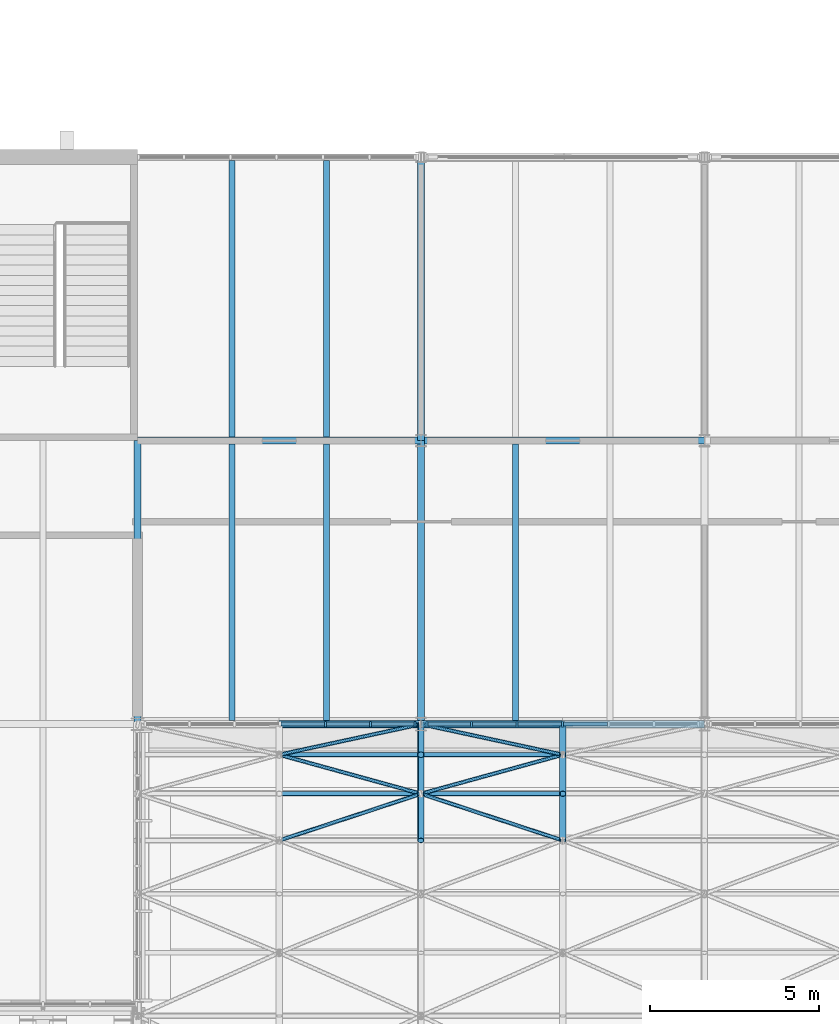
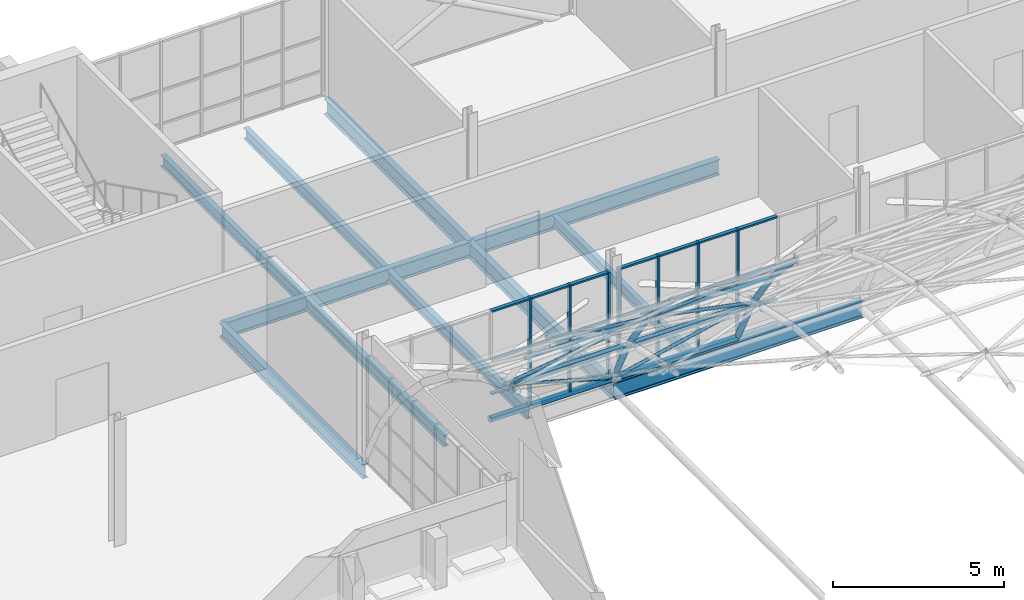
# One storey, part 46 of 121: 53 members, 11 beams, 2 elements without a shape of their own.
"""IFC4 building model written with IfcOpenShell, lengths in metres."""

from ifc_helpers import new_model, si_unit, direction, frame, origin, origin_2d, place, context, subcontext, project, spatial, rectangle, hollow_circle, i_section, extrude, material, layer, layer_set, material_profile, profile_set, type_object, element, aggregate, save


model = new_model("IFC4")

# Units and contexts
model_context = context("Model", 3, precision=1e-05, world=origin(), true_north=direction((0.0, 1.0)))
body_context = subcontext(model_context, "Body", "Model", "MODEL_VIEW")
ifc_project = project(units=[si_unit("LENGTHUNIT", "METRE"), si_unit("AREAUNIT", "SQUARE_METRE"), si_unit("VOLUMEUNIT", "CUBIC_METRE"), si_unit("PLANEANGLEUNIT", "RADIAN"), si_unit("MASSUNIT", "GRAM", prefix="KILO")], contexts=[model_context])

# Site, building, storey
site_placement = place(None, origin())
site = spatial("IfcSite", under=ifc_project, at=site_placement, CompositionType="ELEMENT")
building_placement = place(site_placement, origin())
building = spatial("IfcBuilding", under=site, at=building_placement, Name="Ardhachandra Cancer Care Centre", CompositionType="ELEMENT")
storey_placement = place(building_placement, frame((0.0, 0.0, 9.0)))
storey = spatial("IfcBuildingStorey", under=building, at=storey_placement, Name="L02", CompositionType="ELEMENT", Elevation=9.0)

# Beams
ifc_material_1 = material(Name="Steel E350 (IS 2062)", Category="steel")
ifc_material_profile_1 = material_profile(ifc_material_1, i_section(OverallWidth=0.179931640625, OverallDepth=0.39990234375, WebThickness=0.008544921875, FlangeThickness=0.013427734375, FilletRadius=0.02099609375, at=origin_2d()), Name="NPB 400x180x66.30")
ifc_profile_set_1 = profile_set([ifc_material_profile_1], Name="Steel E350 (IS 2062)")
beam_type_1 = type_object("IfcBeamType", Name="Beam NPB 400x180x66.30", PredefinedType="BEAM", material=ifc_profile_set_1)
beam_1_placement = place(storey_placement, frame((47.199951171875, 79.912109375, -0.35009765625), z_axis=(0.0, 1.0, 0.0), x_axis=(-1.0, 0.0, 0.0)))
element("IfcBeam", 1, at=beam_1_placement, inside=storey, type_object=beam_type_1, Name="Secondary J5-K5@2800", PredefinedType="BEAM", context=body_context, shape_type="SweptSolid", body=[
    extrude(i_section(OverallWidth=0.179931640625, OverallDepth=0.39990234375, WebThickness=0.008544921875, FlangeThickness=0.013427734375, FilletRadius=0.02099609375, at=origin_2d()), origin(), (0.0, 0.0, 1.0), 8.182861328125),
])
beam_2_placement = place(storey_placement, frame((47.199951171875, 88.304931640625, -0.35009765625), z_axis=(0.0, 1.0, 0.0), x_axis=(-1.0, 0.0, 0.0)))
element("IfcBeam", 2, at=beam_2_placement, inside=storey, type_object=beam_type_1, Name="Secondary K5-L5@2800", PredefinedType="BEAM", context=body_context, shape_type="SweptSolid", body=[
    extrude(i_section(OverallWidth=0.179931640625, OverallDepth=0.39990234375, WebThickness=0.008544921875, FlangeThickness=0.013427734375, FilletRadius=0.02099609375, at=origin_2d()), origin(), (0.0, 0.0, 1.0), 8.195068359375),
])
beam_3_placement = place(storey_placement, frame((50.0, 79.912109375, -0.35009765625), z_axis=(0.0, 1.0, 0.0), x_axis=(-1.0, 0.0, 0.0)))
element("IfcBeam", 3, at=beam_3_placement, inside=storey, type_object=beam_type_1, Name="Secondary J5-K5@5600", PredefinedType="BEAM", context=body_context, shape_type="SweptSolid", body=[
    extrude(i_section(OverallWidth=0.179931640625, OverallDepth=0.39990234375, WebThickness=0.008544921875, FlangeThickness=0.013427734375, FilletRadius=0.02099609375, at=origin_2d()), origin(), (0.0, 0.0, 1.0), 8.182861328125),
])
beam_4_placement = place(storey_placement, frame((50.0, 88.304931640625, -0.35009765625), z_axis=(0.0, 1.0, 0.0), x_axis=(-1.0, 0.0, 0.0)))
element("IfcBeam", 4, at=beam_4_placement, inside=storey, type_object=beam_type_1, Name="Secondary K5-L5@5600", PredefinedType="BEAM", context=body_context, shape_type="SweptSolid", body=[
    extrude(i_section(OverallWidth=0.179931640625, OverallDepth=0.39990234375, WebThickness=0.008544921875, FlangeThickness=0.013427734375, FilletRadius=0.02099609375, at=origin_2d()), origin(), (0.0, 0.0, 1.0), 8.195068359375),
])
beam_5_placement = place(storey_placement, frame((55.60009765625, 79.912109375, -0.35009765625), z_axis=(0.0, 1.0, 0.0), x_axis=(-1.0, 0.0, 0.0)))
element("IfcBeam", 5, at=beam_5_placement, inside=storey, type_object=beam_type_1, Name="Secondary J6-K6@2800", PredefinedType="BEAM", context=body_context, shape_type="SweptSolid", body=[
    extrude(i_section(OverallWidth=0.179931640625, OverallDepth=0.39990234375, WebThickness=0.008544921875, FlangeThickness=0.013427734375, FilletRadius=0.02099609375, at=origin_2d()), origin(), (0.0, 0.0, 1.0), 8.182861328125),
])
ifc_material_2 = material(Name="Steel E350 (IS 2062)", Category="steel")
ifc_material_profile_2 = material_profile(ifc_material_2, i_section(OverallWidth=0.199951171875, OverallDepth=0.5, WebThickness=0.01025390625, FlangeThickness=0.01611328125, FilletRadius=0.02099609375, at=origin_2d()), Name="NPB 500x200x90.68")
ifc_profile_set_2 = profile_set([ifc_material_profile_2], Name="Steel E350 (IS 2062)")
beam_type_2 = type_object("IfcBeamType", Name="Beam NPB 500x200x90.68", PredefinedType="BEAM", material=ifc_profile_set_2)
beam_6_placement = place(storey_placement, frame((44.39990234375, 79.800048828125, -0.39990234375), z_axis=(0.0, 1.0, 0.0), x_axis=(-1.0, 0.0, 0.0)))
element("IfcBeam", 6, at=beam_6_placement, inside=storey, type_object=beam_type_2, Name="Edge girder J5-K5", PredefinedType="BEAM", context=body_context, shape_type="SweptSolid", body=[
    extrude(i_section(OverallWidth=0.199951171875, OverallDepth=0.5, WebThickness=0.01025390625, FlangeThickness=0.01611328125, FilletRadius=0.02099609375, at=origin_2d()), origin(), (0.0, 0.0, 1.0), 8.39990234375),
])
ifc_material_3 = material(Name="Steel E350 (IS 2062)", Category="steel")
ifc_material_profile_3 = material_profile(ifc_material_3, i_section(OverallWidth=0.2099609375, OverallDepth=0.550048828125, WebThickness=0.010986328125, FlangeThickness=0.01708984375, FilletRadius=0.02392578125, at=origin_2d()), Name="NPB 550x210x105.52")
ifc_profile_set_3 = profile_set([ifc_material_profile_3], Name="Steel E350 (IS 2062)")
beam_type_3 = type_object("IfcBeamType", Name="Beam NPB 550x210x105.52", PredefinedType="BEAM", material=ifc_profile_set_3)
beam_7_placement = place(storey_placement, frame((44.39990234375, 88.199951171875, -0.425048828125), z_axis=(1.0, 0.0, 0.0), x_axis=(0.0, 1.0, 0.0)))
element("IfcBeam", 7, at=beam_7_placement, inside=storey, type_object=beam_type_3, Name="Girder K5-K6", PredefinedType="BEAM", context=body_context, shape_type="SweptSolid", body=[
    extrude(i_section(OverallWidth=0.2099609375, OverallDepth=0.550048828125, WebThickness=0.010986328125, FlangeThickness=0.01708984375, FilletRadius=0.02392578125, at=origin_2d()), origin(), (0.0, 0.0, 1.0), 8.400146484375),
])
for number, where, z_axis, x_axis, name in (
    (8, (52.800048828125, 88.199951171875, -0.425048828125), (1.0, 0.0, 0.0), (0.0, 1.0, 0.0), "Girder K6-K7"),
    (9, (52.800048828125, 79.800048828125, -0.425048828125), (0.0, 1.0, 0.0), (-1.0, 0.0, 0.0), "Girder J6-K6"),
):
    element("IfcBeam", number, at=place(storey_placement, frame(where, z_axis=z_axis, x_axis=x_axis)), inside=storey, type_object=beam_type_3, Name=name, PredefinedType="BEAM", context=body_context, shape_type="SweptSolid", body=[
        extrude(i_section(OverallWidth=0.2099609375, OverallDepth=0.550048828125, WebThickness=0.010986328125, FlangeThickness=0.01708984375, FilletRadius=0.02392578125, at=origin_2d()), origin(), (0.0, 0.0, 1.0), 8.39990234375),
    ])
beam_8_placement = place(storey_placement, frame((52.800048828125, 88.199951171875, -0.425048828125), z_axis=(0.0, 1.0, 0.0), x_axis=(-1.0, 0.0, 0.0)))
element("IfcBeam", 10, at=beam_8_placement, inside=storey, type_object=beam_type_3, Name="Girder K6-L6", PredefinedType="BEAM", context=body_context, shape_type="SweptSolid", body=[
    extrude(i_section(OverallWidth=0.2099609375, OverallDepth=0.550048828125, WebThickness=0.010986328125, FlangeThickness=0.01708984375, FilletRadius=0.02392578125, at=origin_2d()), origin(), (0.0, 0.0, 1.0), 8.400146484375),
])
ifc_material_4 = material(Name="Steel E350 (IS 2062)", Category="steel")
ifc_material_profile_4 = material_profile(ifc_material_4, i_section(OverallWidth=0.22412109375, OverallDepth=0.610107421875, WebThickness=0.014892578125, FlangeThickness=0.02392578125, FilletRadius=0.02392578125, at=origin_2d()), Name="NPB 600x220x154.46")
ifc_profile_set_4 = profile_set([ifc_material_profile_4], Name="Steel E350 (IS 2062)")
beam_type_4 = type_object("IfcBeamType", Name="Beam NPB 600x220x154.46", PredefinedType="BEAM", material=ifc_profile_set_4)
beam_9_placement = place(storey_placement, frame((52.800048828125, 79.800048828125, -0.41455078125), z_axis=(1.0, 0.0, 0.0), x_axis=(0.0, 1.0, 0.0)))
element("IfcBeam", 11, at=beam_9_placement, inside=storey, type_object=beam_type_4, Name="Shell edge beam J6-J7", PredefinedType="BEAM", context=body_context, shape_type="SweptSolid", body=[
    extrude(i_section(OverallWidth=0.22412109375, OverallDepth=0.610107421875, WebThickness=0.014892578125, FlangeThickness=0.02392578125, FilletRadius=0.02392578125, at=origin_2d()), origin(), (0.0, 0.0, 1.0), 8.39990234375),
])

# Curtain wall, members
ifc_material_5 = material(Name="Aluminium extrusion", Category="aluminium")
ifc_layer = layer(ifc_material_5, 0.14990234375)
ifc_layer_set = layer_set([ifc_layer], Name="Aluminium extrusion")
curtain_wall_type = type_object("IfcCurtainWallType", Name="Curtain wall run", PredefinedType="NOTDEFINED", material=ifc_layer_set)
curtain_wall_1_placement = place(storey_placement, origin())
curtain_wall_1 = element("IfcCurtainWall", 12, at=curtain_wall_1_placement, inside=storey, type_object=curtain_wall_type, Name="Curtain wall L02 s/0044400_0079800", PredefinedType="NOTDEFINED")
ifc_material_6 = material(Name="Aluminium extrusion", Category="aluminium")
ifc_material_profile_5 = material_profile(ifc_material_6, rectangle(XDim=0.159912109375, YDim=0.06005859375, at=origin_2d()), Name="Curtain wall mullion 60 x 160")
ifc_profile_set_5 = profile_set([ifc_material_profile_5], Name="Aluminium extrusion")
member_type_1 = type_object("IfcMemberType", Name="Curtain wall mullion 60 x 160", PredefinedType="MULLION", material=ifc_profile_set_5)
member_1_placement = place(storey_placement, frame((49.965087890625, 79.800048828125, 0.0), z_axis=(0.0, 0.0, 1.0), x_axis=(0.0, 1.0, 0.0)))
member_1 = element("IfcMember", 13, at=member_1_placement, type_object=member_type_1, Name="CW mullion 5", PredefinedType="MULLION", context=body_context, shape_type="SweptSolid", body=[
    extrude(rectangle(XDim=0.159912109375, YDim=0.06005859375, at=origin_2d()), origin(), (0.0, 0.0, 1.0), 3.885986328125),
])
member_2_placement = place(storey_placement, frame((51.3076171875, 79.800048828125, 0.0), z_axis=(0.0, 0.0, 1.0), x_axis=(0.0, 1.0, 0.0)))
member_2 = element("IfcMember", 14, at=member_2_placement, type_object=member_type_1, Name="CW mullion 6", PredefinedType="MULLION", context=body_context, shape_type="SweptSolid", body=[
    extrude(rectangle(XDim=0.159912109375, YDim=0.06005859375, at=origin_2d()), origin(), (0.0, 0.0, 1.0), 3.885986328125),
])
member_3_placement = place(storey_placement, frame((52.6201171875, 79.800048828125, 0.0), z_axis=(0.0, 0.0, 1.0), x_axis=(0.0, 1.0, 0.0)))
member_3 = element("IfcMember", 15, at=member_3_placement, type_object=member_type_1, Name="CW mullion 7", PredefinedType="MULLION", context=body_context, shape_type="SweptSolid", body=[
    extrude(rectangle(XDim=0.159912109375, YDim=0.06005859375, at=origin_2d()), origin(), (0.0, 0.0, 1.0), 3.885986328125),
])

curtain_wall_2_placement = place(storey_placement, origin())
curtain_wall_2 = element("IfcCurtainWall", 16, at=curtain_wall_2_placement, inside=storey, type_object=curtain_wall_type, Name="Curtain wall L02 s/0052800_0079800", PredefinedType="NOTDEFINED")
member_4_placement = place(storey_placement, frame((52.97998046875, 79.800048828125, 0.0), z_axis=(0.0, 0.0, 1.0), x_axis=(0.0, 1.0, 0.0)))
member_4 = element("IfcMember", 17, at=member_4_placement, type_object=member_type_1, Name="CW mullion 1", PredefinedType="MULLION", context=body_context, shape_type="SweptSolid", body=[
    extrude(rectangle(XDim=0.159912109375, YDim=0.06005859375, at=origin_2d()), origin(), (0.0, 0.0, 1.0), 3.885986328125),
])
member_5_placement = place(storey_placement, frame((54.300048828125, 79.800048828125, 0.0), z_axis=(0.0, 0.0, 1.0), x_axis=(0.0, 1.0, 0.0)))
member_5 = element("IfcMember", 18, at=member_5_placement, type_object=member_type_1, Name="CW mullion 2", PredefinedType="MULLION", context=body_context, shape_type="SweptSolid", body=[
    extrude(rectangle(XDim=0.159912109375, YDim=0.06005859375, at=origin_2d()), origin(), (0.0, 0.0, 1.0), 3.885986328125),
])
member_6_placement = place(storey_placement, frame((55.64990234375, 79.800048828125, 0.0), z_axis=(0.0, 0.0, 1.0), x_axis=(0.0, 1.0, 0.0)))
member_6 = element("IfcMember", 19, at=member_6_placement, type_object=member_type_1, Name="CW mullion 3", PredefinedType="MULLION", context=body_context, shape_type="SweptSolid", body=[
    extrude(rectangle(XDim=0.159912109375, YDim=0.06005859375, at=origin_2d()), origin(), (0.0, 0.0, 1.0), 3.885986328125),
])
member_7_placement = place(storey_placement, frame((57.0, 79.800048828125, 0.0), z_axis=(0.0, 0.0, 1.0), x_axis=(0.0, 1.0, 0.0)))
member_7 = element("IfcMember", 20, at=member_7_placement, type_object=member_type_1, Name="CW mullion 4", PredefinedType="MULLION", context=body_context, shape_type="SweptSolid", body=[
    extrude(rectangle(XDim=0.159912109375, YDim=0.06005859375, at=origin_2d()), origin(), (0.0, 0.0, 1.0), 3.885986328125),
])

# Member
ifc_material_7 = material(Name="Aluminium extrusion", Category="aluminium")
ifc_material_profile_6 = material_profile(ifc_material_7, rectangle(XDim=0.1201171875, YDim=0.06005859375, at=origin_2d()), Name="Curtain wall transom 60 x 120")
ifc_profile_set_6 = profile_set([ifc_material_profile_6], Name="Aluminium extrusion")
member_type_2 = type_object("IfcMemberType", Name="Curtain wall transom 60 x 120", PredefinedType="USERDEFINED", material=ifc_profile_set_6)
member_8_placement = place(storey_placement, frame((48.65283203125, 79.800048828125, 0.030029296875), z_axis=(1.0, 0.0, 0.0), x_axis=(0.0, 1.0, 0.0)))
member_8 = element("IfcMember", 21, at=member_8_placement, type_object=member_type_2, Name="CW transom 4.1", ObjectType="TRANSOM", PredefinedType="USERDEFINED", context=body_context, shape_type="SweptSolid", body=[
    extrude(rectangle(XDim=0.1201171875, YDim=0.06005859375, at=origin_2d()), origin(), (0.0, 0.0, 1.0), 1.2822265625),
])

member_9_placement = place(storey_placement, frame((48.65283203125, 79.800048828125, 0.89990234375), z_axis=(1.0, 0.0, 0.0), x_axis=(0.0, 1.0, 0.0)))
member_9 = element("IfcMember", 22, at=member_9_placement, type_object=member_type_2, Name="CW transom 4.2", ObjectType="TRANSOM", PredefinedType="USERDEFINED", context=body_context, shape_type="SweptSolid", body=[
    extrude(rectangle(XDim=0.1201171875, YDim=0.06005859375, at=origin_2d()), origin(), (0.0, 0.0, 1.0), 1.2822265625),
])

member_10_placement = place(storey_placement, frame((48.65283203125, 79.800048828125, 2.10009765625), z_axis=(1.0, 0.0, 0.0), x_axis=(0.0, 1.0, 0.0)))
member_10 = element("IfcMember", 23, at=member_10_placement, type_object=member_type_2, Name="CW transom 4.3", ObjectType="TRANSOM", PredefinedType="USERDEFINED", context=body_context, shape_type="SweptSolid", body=[
    extrude(rectangle(XDim=0.1201171875, YDim=0.06005859375, at=origin_2d()), origin(), (0.0, 0.0, 1.0), 1.2822265625),
])

member_11_placement = place(storey_placement, frame((48.65283203125, 79.800048828125, 3.85595703125), z_axis=(1.0, 0.0, 0.0), x_axis=(0.0, 1.0, 0.0)))
member_11 = element("IfcMember", 24, at=member_11_placement, type_object=member_type_2, Name="CW transom 4.4", ObjectType="TRANSOM", PredefinedType="USERDEFINED", context=body_context, shape_type="SweptSolid", body=[
    extrude(rectangle(XDim=0.1201171875, YDim=0.06005859375, at=origin_2d()), origin(), (0.0, 0.0, 1.0), 1.2822265625),
])

member_12_placement = place(storey_placement, frame((49.9951171875, 79.800048828125, 0.030029296875), z_axis=(1.0, 0.0, 0.0), x_axis=(0.0, 1.0, 0.0)))
member_12 = element("IfcMember", 25, at=member_12_placement, type_object=member_type_2, Name="CW transom 5.1", ObjectType="TRANSOM", PredefinedType="USERDEFINED", context=body_context, shape_type="SweptSolid", body=[
    extrude(rectangle(XDim=0.1201171875, YDim=0.06005859375, at=origin_2d()), origin(), (0.0, 0.0, 1.0), 1.282470703125),
])

member_13_placement = place(storey_placement, frame((49.9951171875, 79.800048828125, 0.89990234375), z_axis=(1.0, 0.0, 0.0), x_axis=(0.0, 1.0, 0.0)))
member_13 = element("IfcMember", 26, at=member_13_placement, type_object=member_type_2, Name="CW transom 5.2", ObjectType="TRANSOM", PredefinedType="USERDEFINED", context=body_context, shape_type="SweptSolid", body=[
    extrude(rectangle(XDim=0.1201171875, YDim=0.06005859375, at=origin_2d()), origin(), (0.0, 0.0, 1.0), 1.282470703125),
])

member_14_placement = place(storey_placement, frame((49.9951171875, 79.800048828125, 2.10009765625), z_axis=(1.0, 0.0, 0.0), x_axis=(0.0, 1.0, 0.0)))
member_14 = element("IfcMember", 27, at=member_14_placement, type_object=member_type_2, Name="CW transom 5.3", ObjectType="TRANSOM", PredefinedType="USERDEFINED", context=body_context, shape_type="SweptSolid", body=[
    extrude(rectangle(XDim=0.1201171875, YDim=0.06005859375, at=origin_2d()), origin(), (0.0, 0.0, 1.0), 1.282470703125),
])

member_15_placement = place(storey_placement, frame((49.9951171875, 79.800048828125, 3.85595703125), z_axis=(1.0, 0.0, 0.0), x_axis=(0.0, 1.0, 0.0)))
member_15 = element("IfcMember", 28, at=member_15_placement, type_object=member_type_2, Name="CW transom 5.4", ObjectType="TRANSOM", PredefinedType="USERDEFINED", context=body_context, shape_type="SweptSolid", body=[
    extrude(rectangle(XDim=0.1201171875, YDim=0.06005859375, at=origin_2d()), origin(), (0.0, 0.0, 1.0), 1.282470703125),
])

member_16_placement = place(storey_placement, frame((51.337646484375, 79.800048828125, 0.030029296875), z_axis=(1.0, 0.0, 0.0), x_axis=(0.0, 1.0, 0.0)))
member_16 = element("IfcMember", 29, at=member_16_placement, type_object=member_type_2, Name="CW transom 6.1", ObjectType="TRANSOM", PredefinedType="USERDEFINED", context=body_context, shape_type="SweptSolid", body=[
    extrude(rectangle(XDim=0.1201171875, YDim=0.06005859375, at=origin_2d()), origin(), (0.0, 0.0, 1.0), 1.25244140625),
])

member_17_placement = place(storey_placement, frame((51.337646484375, 79.800048828125, 0.89990234375), z_axis=(1.0, 0.0, 0.0), x_axis=(0.0, 1.0, 0.0)))
member_17 = element("IfcMember", 30, at=member_17_placement, type_object=member_type_2, Name="CW transom 6.2", ObjectType="TRANSOM", PredefinedType="USERDEFINED", context=body_context, shape_type="SweptSolid", body=[
    extrude(rectangle(XDim=0.1201171875, YDim=0.06005859375, at=origin_2d()), origin(), (0.0, 0.0, 1.0), 1.25244140625),
])

member_18_placement = place(storey_placement, frame((51.337646484375, 79.800048828125, 2.10009765625), z_axis=(1.0, 0.0, 0.0), x_axis=(0.0, 1.0, 0.0)))
member_18 = element("IfcMember", 31, at=member_18_placement, type_object=member_type_2, Name="CW transom 6.3", ObjectType="TRANSOM", PredefinedType="USERDEFINED", context=body_context, shape_type="SweptSolid", body=[
    extrude(rectangle(XDim=0.1201171875, YDim=0.06005859375, at=origin_2d()), origin(), (0.0, 0.0, 1.0), 1.25244140625),
])

member_19_placement = place(storey_placement, frame((51.337646484375, 79.800048828125, 3.85595703125), z_axis=(1.0, 0.0, 0.0), x_axis=(0.0, 1.0, 0.0)))
member_19 = element("IfcMember", 32, at=member_19_placement, type_object=member_type_2, Name="CW transom 6.4", ObjectType="TRANSOM", PredefinedType="USERDEFINED", context=body_context, shape_type="SweptSolid", body=[
    extrude(rectangle(XDim=0.1201171875, YDim=0.06005859375, at=origin_2d()), origin(), (0.0, 0.0, 1.0), 1.25244140625),
])

aggregate(curtain_wall_1, [member_1, member_2, member_3, member_8, member_9, member_10, member_11, member_12, member_13, member_14, member_15, member_16, member_17, member_18, member_19])

member_20_placement = place(storey_placement, frame((53.010009765625, 79.800048828125, 0.030029296875), z_axis=(1.0, 0.0, 0.0), x_axis=(0.0, 1.0, 0.0)))
member_20 = element("IfcMember", 33, at=member_20_placement, type_object=member_type_2, Name="CW transom 1.1", ObjectType="TRANSOM", PredefinedType="USERDEFINED", context=body_context, shape_type="SweptSolid", body=[
    extrude(rectangle(XDim=0.1201171875, YDim=0.06005859375, at=origin_2d()), origin(), (0.0, 0.0, 1.0), 1.260009765625),
])

member_21_placement = place(storey_placement, frame((53.010009765625, 79.800048828125, 0.89990234375), z_axis=(1.0, 0.0, 0.0), x_axis=(0.0, 1.0, 0.0)))
member_21 = element("IfcMember", 34, at=member_21_placement, type_object=member_type_2, Name="CW transom 1.2", ObjectType="TRANSOM", PredefinedType="USERDEFINED", context=body_context, shape_type="SweptSolid", body=[
    extrude(rectangle(XDim=0.1201171875, YDim=0.06005859375, at=origin_2d()), origin(), (0.0, 0.0, 1.0), 1.260009765625),
])

member_22_placement = place(storey_placement, frame((53.010009765625, 79.800048828125, 2.10009765625), z_axis=(1.0, 0.0, 0.0), x_axis=(0.0, 1.0, 0.0)))
member_22 = element("IfcMember", 35, at=member_22_placement, type_object=member_type_2, Name="CW transom 1.3", ObjectType="TRANSOM", PredefinedType="USERDEFINED", context=body_context, shape_type="SweptSolid", body=[
    extrude(rectangle(XDim=0.1201171875, YDim=0.06005859375, at=origin_2d()), origin(), (0.0, 0.0, 1.0), 1.260009765625),
])

member_23_placement = place(storey_placement, frame((53.010009765625, 79.800048828125, 3.85595703125), z_axis=(1.0, 0.0, 0.0), x_axis=(0.0, 1.0, 0.0)))
member_23 = element("IfcMember", 36, at=member_23_placement, type_object=member_type_2, Name="CW transom 1.4", ObjectType="TRANSOM", PredefinedType="USERDEFINED", context=body_context, shape_type="SweptSolid", body=[
    extrude(rectangle(XDim=0.1201171875, YDim=0.06005859375, at=origin_2d()), origin(), (0.0, 0.0, 1.0), 1.260009765625),
])

member_24_placement = place(storey_placement, frame((54.330078125, 79.800048828125, 0.030029296875), z_axis=(1.0, 0.0, 0.0), x_axis=(0.0, 1.0, 0.0)))
member_24 = element("IfcMember", 37, at=member_24_placement, type_object=member_type_2, Name="CW transom 2.1", ObjectType="TRANSOM", PredefinedType="USERDEFINED", context=body_context, shape_type="SweptSolid", body=[
    extrude(rectangle(XDim=0.1201171875, YDim=0.06005859375, at=origin_2d()), origin(), (0.0, 0.0, 1.0), 1.2900390625),
])

member_25_placement = place(storey_placement, frame((54.330078125, 79.800048828125, 0.89990234375), z_axis=(1.0, 0.0, 0.0), x_axis=(0.0, 1.0, 0.0)))
member_25 = element("IfcMember", 38, at=member_25_placement, type_object=member_type_2, Name="CW transom 2.2", ObjectType="TRANSOM", PredefinedType="USERDEFINED", context=body_context, shape_type="SweptSolid", body=[
    extrude(rectangle(XDim=0.1201171875, YDim=0.06005859375, at=origin_2d()), origin(), (0.0, 0.0, 1.0), 1.2900390625),
])

member_26_placement = place(storey_placement, frame((54.330078125, 79.800048828125, 2.10009765625), z_axis=(1.0, 0.0, 0.0), x_axis=(0.0, 1.0, 0.0)))
member_26 = element("IfcMember", 39, at=member_26_placement, type_object=member_type_2, Name="CW transom 2.3", ObjectType="TRANSOM", PredefinedType="USERDEFINED", context=body_context, shape_type="SweptSolid", body=[
    extrude(rectangle(XDim=0.1201171875, YDim=0.06005859375, at=origin_2d()), origin(), (0.0, 0.0, 1.0), 1.2900390625),
])

member_27_placement = place(storey_placement, frame((54.330078125, 79.800048828125, 3.85595703125), z_axis=(1.0, 0.0, 0.0), x_axis=(0.0, 1.0, 0.0)))
member_27 = element("IfcMember", 40, at=member_27_placement, type_object=member_type_2, Name="CW transom 2.4", ObjectType="TRANSOM", PredefinedType="USERDEFINED", context=body_context, shape_type="SweptSolid", body=[
    extrude(rectangle(XDim=0.1201171875, YDim=0.06005859375, at=origin_2d()), origin(), (0.0, 0.0, 1.0), 1.2900390625),
])

member_28_placement = place(storey_placement, frame((55.679931640625, 79.800048828125, 0.030029296875), z_axis=(1.0, 0.0, 0.0), x_axis=(0.0, 1.0, 0.0)))
member_28 = element("IfcMember", 41, at=member_28_placement, type_object=member_type_2, Name="CW transom 3.1", ObjectType="TRANSOM", PredefinedType="USERDEFINED", context=body_context, shape_type="SweptSolid", body=[
    extrude(rectangle(XDim=0.1201171875, YDim=0.06005859375, at=origin_2d()), origin(), (0.0, 0.0, 1.0), 1.2900390625),
])

member_29_placement = place(storey_placement, frame((55.679931640625, 79.800048828125, 0.89990234375), z_axis=(1.0, 0.0, 0.0), x_axis=(0.0, 1.0, 0.0)))
member_29 = element("IfcMember", 42, at=member_29_placement, type_object=member_type_2, Name="CW transom 3.2", ObjectType="TRANSOM", PredefinedType="USERDEFINED", context=body_context, shape_type="SweptSolid", body=[
    extrude(rectangle(XDim=0.1201171875, YDim=0.06005859375, at=origin_2d()), origin(), (0.0, 0.0, 1.0), 1.2900390625),
])

member_30_placement = place(storey_placement, frame((55.679931640625, 79.800048828125, 2.10009765625), z_axis=(1.0, 0.0, 0.0), x_axis=(0.0, 1.0, 0.0)))
member_30 = element("IfcMember", 43, at=member_30_placement, type_object=member_type_2, Name="CW transom 3.3", ObjectType="TRANSOM", PredefinedType="USERDEFINED", context=body_context, shape_type="SweptSolid", body=[
    extrude(rectangle(XDim=0.1201171875, YDim=0.06005859375, at=origin_2d()), origin(), (0.0, 0.0, 1.0), 1.2900390625),
])

member_31_placement = place(storey_placement, frame((55.679931640625, 79.800048828125, 3.85595703125), z_axis=(1.0, 0.0, 0.0), x_axis=(0.0, 1.0, 0.0)))
member_31 = element("IfcMember", 44, at=member_31_placement, type_object=member_type_2, Name="CW transom 3.4", ObjectType="TRANSOM", PredefinedType="USERDEFINED", context=body_context, shape_type="SweptSolid", body=[
    extrude(rectangle(XDim=0.1201171875, YDim=0.06005859375, at=origin_2d()), origin(), (0.0, 0.0, 1.0), 1.2900390625),
])

member_32_placement = place(storey_placement, frame((57.030029296875, 79.800048828125, 0.030029296875), z_axis=(1.0, 0.0, 0.0), x_axis=(0.0, 1.0, 0.0)))
member_32 = element("IfcMember", 45, at=member_32_placement, type_object=member_type_2, Name="CW transom 4.1", ObjectType="TRANSOM", PredefinedType="USERDEFINED", context=body_context, shape_type="SweptSolid", body=[
    extrude(rectangle(XDim=0.1201171875, YDim=0.06005859375, at=origin_2d()), origin(), (0.0, 0.0, 1.0), 1.2900390625),
])

member_33_placement = place(storey_placement, frame((57.030029296875, 79.800048828125, 0.89990234375), z_axis=(1.0, 0.0, 0.0), x_axis=(0.0, 1.0, 0.0)))
member_33 = element("IfcMember", 46, at=member_33_placement, type_object=member_type_2, Name="CW transom 4.2", ObjectType="TRANSOM", PredefinedType="USERDEFINED", context=body_context, shape_type="SweptSolid", body=[
    extrude(rectangle(XDim=0.1201171875, YDim=0.06005859375, at=origin_2d()), origin(), (0.0, 0.0, 1.0), 1.2900390625),
])

member_34_placement = place(storey_placement, frame((57.030029296875, 79.800048828125, 2.10009765625), z_axis=(1.0, 0.0, 0.0), x_axis=(0.0, 1.0, 0.0)))
member_34 = element("IfcMember", 47, at=member_34_placement, type_object=member_type_2, Name="CW transom 4.3", ObjectType="TRANSOM", PredefinedType="USERDEFINED", context=body_context, shape_type="SweptSolid", body=[
    extrude(rectangle(XDim=0.1201171875, YDim=0.06005859375, at=origin_2d()), origin(), (0.0, 0.0, 1.0), 1.2900390625),
])

member_35_placement = place(storey_placement, frame((57.030029296875, 79.800048828125, 3.85595703125), z_axis=(1.0, 0.0, 0.0), x_axis=(0.0, 1.0, 0.0)))
member_35 = element("IfcMember", 48, at=member_35_placement, type_object=member_type_2, Name="CW transom 4.4", ObjectType="TRANSOM", PredefinedType="USERDEFINED", context=body_context, shape_type="SweptSolid", body=[
    extrude(rectangle(XDim=0.1201171875, YDim=0.06005859375, at=origin_2d()), origin(), (0.0, 0.0, 1.0), 1.2900390625),
])

aggregate(curtain_wall_2, [member_4, member_5, member_6, member_7, member_20, member_21, member_22, member_23, member_24, member_25, member_26, member_27, member_28, member_29, member_30, member_31, member_32, member_33, member_34, member_35])

# Members
ifc_material_8 = material(Name="Steel E350 (IS 2062)", Category="steel")
ifc_material_profile_7 = material_profile(ifc_material_8, hollow_circle(Radius=0.05712890625, WallThickness=0.0048828125, at=origin_2d()), Name="CHS 114.3x5.0")
ifc_profile_set_7 = profile_set([ifc_material_profile_7], Name="Steel E350 (IS 2062)")
member_type_3 = type_object("IfcMemberType", Name="Hall shell Diagonal CHS 114.3x5.0", PredefinedType="BRACE", material=ifc_profile_set_7)
for number, where, z_axis, x_axis, name in (
    (49, (48.60009765625, 76.353515625, 4.8759765625), (0.902457097304, 0.297496610987, -0.311555699639), (-0.313079224057, 0.949727013128, 0.0), "Hall shell diagonal 01-13"),
    (50, (52.800048828125, 77.738037109375, 3.426025390625), (-0.902461325562, 0.248605721202, -0.351793620253), (-0.265582388334, -0.964088167652, 0.0), "Hall shell diagonal 02-14"),
    (51, (48.60009765625, 78.89501953125, 1.788818359375), (0.902463534711, 0.194467960424, -0.384371930409), (-0.210650483477, 0.977561442474, 0.0), "Hall shell diagonal 01-15"),
    (52, (57.0, 76.353515625, 4.8759765625), (-0.902457097304, 0.297496610987, -0.311555699639), (-0.313079224057, -0.949727013128, 0.0), "Hall shell diagonal 03-13"),
    (53, (52.800048828125, 77.738037109375, 3.426025390625), (0.902461325562, 0.248605721202, -0.351793620253), (-0.265582388334, 0.964088167652, 0.0), "Hall shell diagonal 02-14"),
    (54, (57.0, 78.89501953125, 1.788818359375), (-0.902463534711, 0.194467960424, -0.384371930409), (-0.210650483477, -0.977561442474, 0.0), "Hall shell diagonal 03-15"),
):
    element("IfcMember", number, at=place(storey_placement, frame(where, z_axis=z_axis, x_axis=x_axis)), inside=storey, type_object=member_type_3, Name=name, PredefinedType="BRACE", context=body_context, shape_type="SweptSolid", body=[
        extrude(hollow_circle(Radius=0.05712890625, WallThickness=0.0048828125, at=origin_2d()), origin(), (0.0, 0.0, 1.0), 4.65380859375),
    ])
ifc_material_9 = material(Name="Steel E350 (IS 2062)", Category="steel")
ifc_material_profile_8 = material_profile(ifc_material_9, hollow_circle(Radius=0.06982421875, WallThickness=0.0048828125, at=origin_2d()), Name="CHS 139.7x5.0")
ifc_profile_set_8 = profile_set([ifc_material_profile_8], Name="Steel E350 (IS 2062)")
member_type_4 = type_object("IfcMemberType", Name="Hall shell Purlin CHS 139.7x5.0", PredefinedType="PURLIN", material=ifc_profile_set_8)
for number, where, z_axis, x_axis, name in (
    (55, (48.60009765625, 77.738037109375, 3.426025390625), (1.0, 0.0, 0.0), (0.0, 1.0, 0.0), "Hall shell purlin 01-14"),
    (56, (52.800048828125, 77.738037109375, 3.426025390625), (1.0, 0.0, 0.0), (0.0, 1.0, 0.0), "Hall shell purlin 02-14"),
    (57, (48.60009765625, 78.89501953125, 1.788818359375), (1.0, 0.0, 0.0), (0.0, 1.0, 0.0), "Hall shell purlin 01-15"),
    (58, (52.800048828125, 78.89501953125, 1.788818359375), (1.0, 0.0, 0.0), (0.0, 1.0, 0.0), "Hall shell purlin 02-15"),
):
    element("IfcMember", number, at=place(storey_placement, frame(where, z_axis=z_axis, x_axis=x_axis)), inside=storey, type_object=member_type_4, Name=name, PredefinedType="PURLIN", context=body_context, shape_type="SweptSolid", body=[
        extrude(hollow_circle(Radius=0.06982421875, WallThickness=0.0048828125, at=origin_2d()), origin(), (0.0, 0.0, 1.0), 4.199951171875),
    ])
ifc_material_10 = material(Name="Steel E350 (IS 2062)", Category="steel")
ifc_material_profile_9 = material_profile(ifc_material_10, hollow_circle(Radius=0.109619140625, WallThickness=0.008056640625, at=origin_2d()), Name="CHS 219.1x8.0")
ifc_profile_set_9 = profile_set([ifc_material_profile_9], Name="Steel E350 (IS 2062)")
member_type_5 = type_object("IfcMemberType", Name="Hall shell Purlin CHS 219.1x8.0", PredefinedType="PURLIN", material=ifc_profile_set_9)
for number, where, z_axis, x_axis, name in (
    (59, (48.60009765625, 79.800048828125, 0.0), (1.0, 0.0, 0.0), (0.0, 1.0, 0.0), "Hall shell purlin 01-16"),
    (60, (52.800048828125, 79.800048828125, 0.0), (1.0, 0.0, 0.0), (0.0, 1.0, 0.0), "Hall shell purlin 02-16"),
):
    element("IfcMember", number, at=place(storey_placement, frame(where, z_axis=z_axis, x_axis=x_axis)), inside=storey, type_object=member_type_5, Name=name, PredefinedType="PURLIN", context=body_context, shape_type="SweptSolid", body=[
        extrude(hollow_circle(Radius=0.109619140625, WallThickness=0.008056640625, at=origin_2d()), origin(), (0.0, 0.0, 1.0), 4.199951171875),
    ])
ifc_material_11 = material(Name="Steel E350 (IS 2062)", Category="steel")
ifc_material_profile_10 = material_profile(ifc_material_11, hollow_circle(Radius=0.096923828125, WallThickness=0.008056640625, at=origin_2d()), Name="CHS 193.7x8.0")
ifc_profile_set_10 = profile_set([ifc_material_profile_10], Name="Steel E350 (IS 2062)")
member_type_6 = type_object("IfcMemberType", Name="Hall shell Rib CHS 193.7x8.0", PredefinedType="RAFTER", material=ifc_profile_set_10)
member_36_placement = place(storey_placement, frame((52.800048828125, 76.353515625, 4.8759765625), z_axis=(0.0, 0.690600278641, -0.723236652239), x_axis=(-1.0, 0.0, 0.0)))
element("IfcMember", 61, at=member_36_placement, inside=storey, type_object=member_type_6, Name="Hall shell rib 02-13", PredefinedType="RAFTER", context=body_context, shape_type="SweptSolid", body=[
    extrude(hollow_circle(Radius=0.096923828125, WallThickness=0.008056640625, at=origin_2d()), origin(), (0.0, 0.0, 1.0), 2.0048828125),
])
for number, where, z_axis, x_axis, name in (
    (62, (52.800048828125, 77.738037109375, 3.426025390625), (0.0, 0.577118207202, -0.816660624076), (-1.0, 0.0, 0.0), "Hall shell rib 02-14"),
    (63, (52.800048828125, 78.89501953125, 1.788818359375), (0.0, 0.451446595645, -0.892298140355), (-1.0, 0.0, 0.0), "Hall shell rib 02-15"),
):
    element("IfcMember", number, at=place(storey_placement, frame(where, z_axis=z_axis, x_axis=x_axis)), inside=storey, type_object=member_type_6, Name=name, PredefinedType="RAFTER", context=body_context, shape_type="SweptSolid", body=[
        extrude(hollow_circle(Radius=0.096923828125, WallThickness=0.008056640625, at=origin_2d()), origin(), (0.0, 0.0, 1.0), 2.004638671875),
    ])
member_37_placement = place(storey_placement, frame((57.0, 76.353515625, 4.8759765625), z_axis=(0.0, 0.690600278641, -0.723236652239), x_axis=(-1.0, 0.0, 0.0)))
element("IfcMember", 64, at=member_37_placement, inside=storey, type_object=member_type_6, Name="Hall shell rib 03-13", PredefinedType="RAFTER", context=body_context, shape_type="SweptSolid", body=[
    extrude(hollow_circle(Radius=0.096923828125, WallThickness=0.008056640625, at=origin_2d()), origin(), (0.0, 0.0, 1.0), 2.0048828125),
])
for number, where, z_axis, x_axis, name in (
    (65, (57.0, 77.738037109375, 3.426025390625), (0.0, 0.577118207202, -0.816660624076), (-1.0, 0.0, 0.0), "Hall shell rib 03-14"),
    (66, (57.0, 78.89501953125, 1.788818359375), (0.0, 0.451446595645, -0.892298140355), (-1.0, 0.0, 0.0), "Hall shell rib 03-15"),
):
    element("IfcMember", number, at=place(storey_placement, frame(where, z_axis=z_axis, x_axis=x_axis)), inside=storey, type_object=member_type_6, Name=name, PredefinedType="RAFTER", context=body_context, shape_type="SweptSolid", body=[
        extrude(hollow_circle(Radius=0.096923828125, WallThickness=0.008056640625, at=origin_2d()), origin(), (0.0, 0.0, 1.0), 2.004638671875),
    ])

save(model, "model.ifc")
